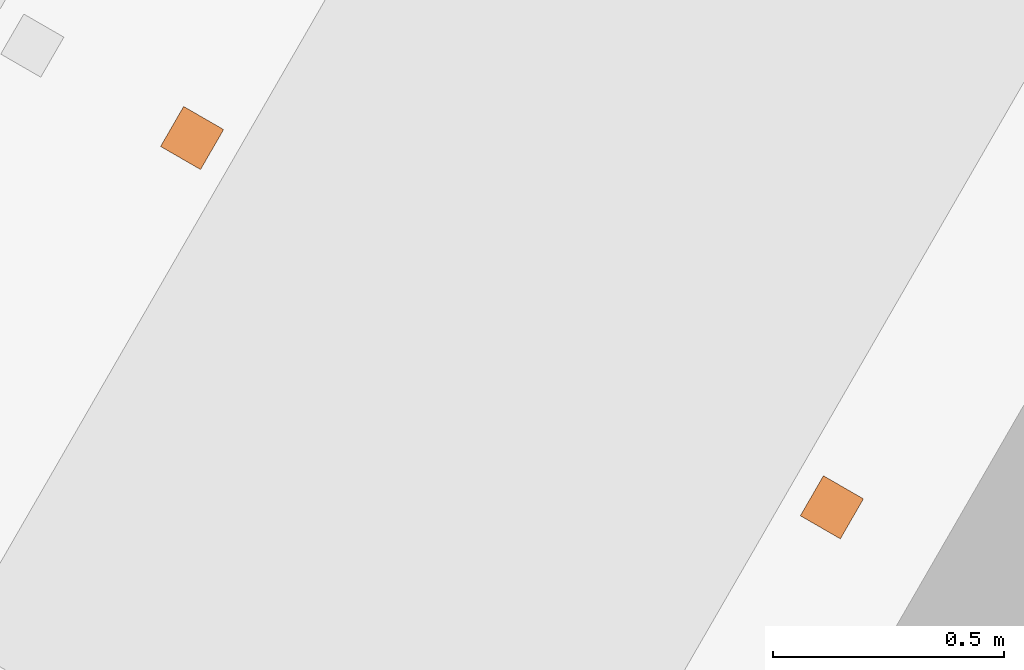
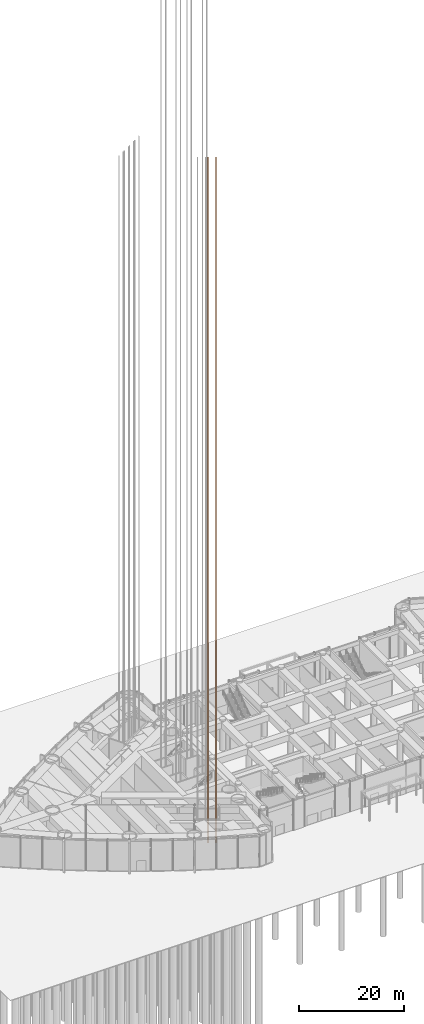
# One storey, part 30 of 43: 1 proxy.
"""IFC4 building model written with IfcOpenShell, lengths in metres."""

from ifc_helpers import new_model, si_unit, direction, frame, origin, origin_2d, place, context, subcontext, project, spatial, rectangle, extrude, material, type_object, element, save


model = new_model("IFC4")

# Units and contexts
model_context = context("Model", 3, precision=1e-05, world=origin(), true_north=direction((0.0, 1.0)))
body_context = subcontext(model_context, "Body", "Model", "MODEL_VIEW")
ifc_project = project(units=[si_unit("LENGTHUNIT", "METRE"), si_unit("AREAUNIT", "SQUARE_METRE"), si_unit("VOLUMEUNIT", "CUBIC_METRE"), si_unit("PLANEANGLEUNIT", "RADIAN"), si_unit("MASSUNIT", "GRAM", prefix="KILO")], contexts=[model_context])

# Site, building, storey
site_placement = place(None, origin())
site = spatial("IfcSite", under=ifc_project, at=site_placement, CompositionType="ELEMENT")
building_placement = place(site_placement, origin())
building = spatial("IfcBuilding", under=site, at=building_placement, Name="Lancet Gate Hotel", CompositionType="ELEMENT")
storey_placement = place(building_placement, origin())
storey = spatial("IfcBuildingStorey", under=building, at=storey_placement, Name="L00", CompositionType="ELEMENT", Elevation=0.0)

# Proxy
ifc_material = material(Name="Steel S355", Category="steel")
building_element_proxy_type = type_object("IfcBuildingElementProxyType", Name="Lift guide rails", PredefinedType="USERDEFINED", material=ifc_material)
proxy_placement = place(storey_placement, frame((-35.58349609375, -15.868408203125, 0.0), z_axis=(0.0, 0.0, 1.0), x_axis=(-0.499916865226, -0.866073396349, 0.0)))
element("IfcBuildingElementProxy", 1, at=proxy_placement, inside=storey, type_object=building_element_proxy_type, Name="T1-EX1 guide rails", ObjectType="LIFT GUIDE RAILS", PredefinedType="USERDEFINED", context=body_context, shape_type="SweptSolid", body=[
    extrude(rectangle(XDim=0.1, YDim=0.1, at=origin_2d()), frame((0.0, -0.800048828125, 0.0)), (0.0, 0.0, 1.0), 159.300048828125),
    extrude(rectangle(XDim=0.1, YDim=0.1, at=origin_2d()), frame((0.0, 0.800048828125, 0.0)), (0.0, 0.0, 1.0), 159.300048828125),
])

save(model, "model.ifc")
